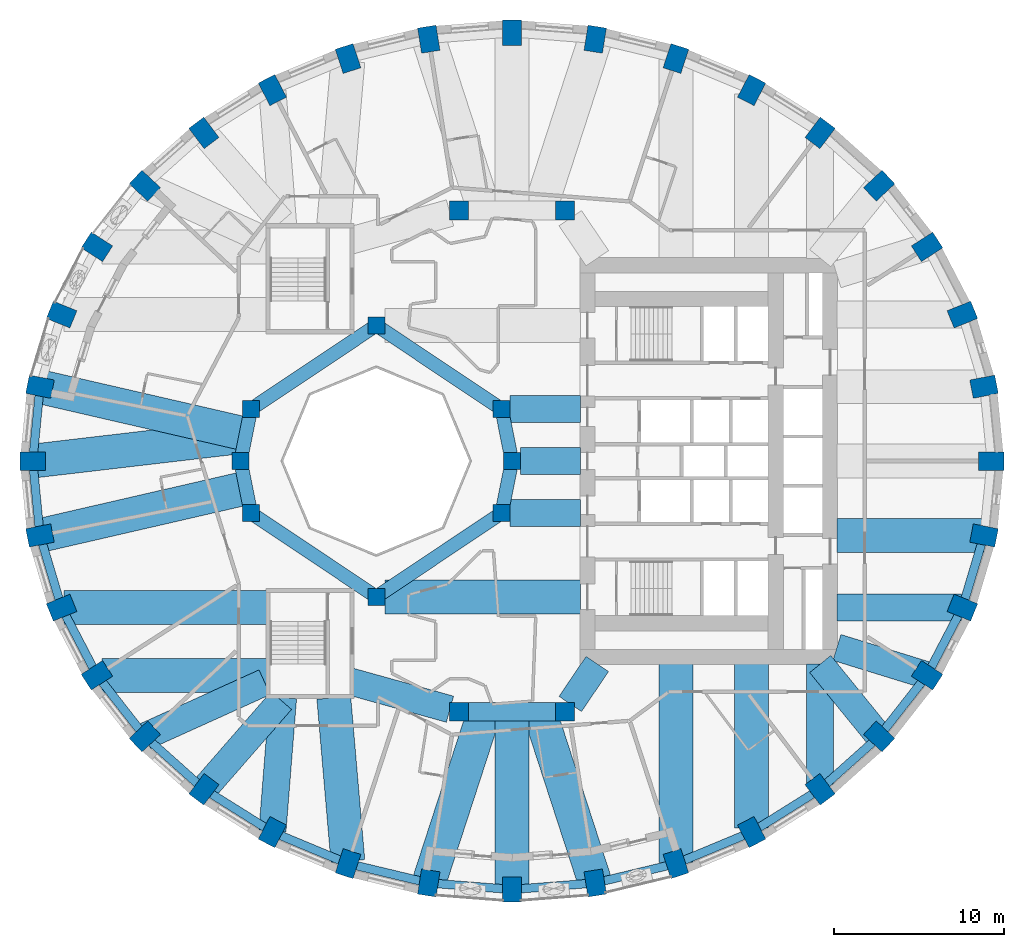
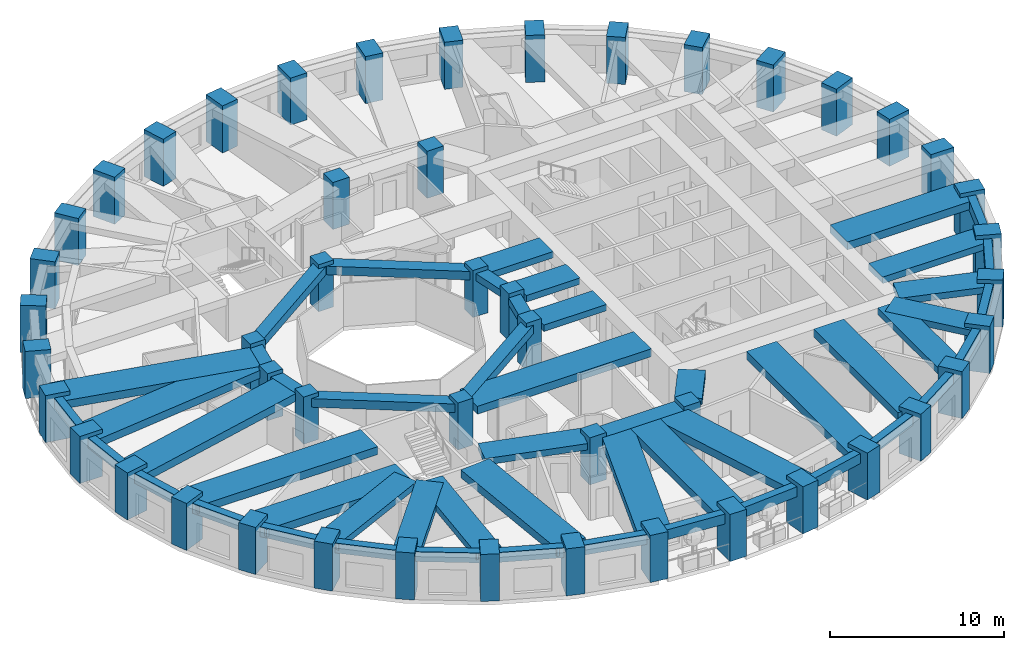
# One storey, part 1 of 13: 52 beams, 48 columns.
"""IFC4 building model written with IfcOpenShell, lengths in metres."""

from ifc_helpers import new_model, si_unit, direction, frame, origin, origin_2d, place, context, subcontext, project, spatial, rectangle, extrude, material, material_profile, profile_set, type_object, element, save


model = new_model("IFC4")

# Units and contexts
model_context = context("Model", 3, precision=1e-05, world=origin(), true_north=direction((0.0, 1.0)))
body_context = subcontext(model_context, "Body", "Model", "MODEL_VIEW")
ifc_project = project(units=[si_unit("LENGTHUNIT", "METRE"), si_unit("AREAUNIT", "SQUARE_METRE"), si_unit("VOLUMEUNIT", "CUBIC_METRE"), si_unit("PLANEANGLEUNIT", "RADIAN"), si_unit("MASSUNIT", "GRAM", prefix="KILO")], contexts=[model_context])

# Site, building, storey
site_placement = place(None, origin())
site = spatial("IfcSite", under=ifc_project, at=site_placement, CompositionType="ELEMENT")
building_placement = place(site_placement, origin())
building = spatial("IfcBuilding", under=site, at=building_placement, Name="Taillehof Tower", CompositionType="ELEMENT")
storey_placement = place(building_placement, frame((0.0, 0.0, 31.60009765625)))
storey = spatial("IfcBuildingStorey", under=building, at=storey_placement, Name="L07", CompositionType="ELEMENT", Elevation=31.60009765625)

# Columns
ifc_material_1 = material(Name="Concrete C50/60", Category="concrete")
ifc_material_profile_1 = material_profile(ifc_material_1, rectangle(XDim=1.0, YDim=1.0, at=origin_2d()), Name="RC 1000x1000")
ifc_profile_set_1 = profile_set([ifc_material_profile_1], Name="Concrete C50/60")
column_type_1 = type_object("IfcColumnType", Name="Atrium ring column C50/60 1000x1000", PredefinedType="COLUMN", material=ifc_profile_set_1)
for number, where, z_axis, x_axis, name in (
    (1, (0.0, 0.0, 0.0), (0.0, 0.0, 1.0), (1.0, 0.0, 0.0), "Column AC01"),
    (2, (-8.0, 8.0, 0.0), (0.0, 0.0, 1.0), (1.0, 0.0, 0.0), "Column AC05"),
    (3, (-15.39111328125, 3.0615234375, 0.0), (0.0, 0.0, 1.0), (1.0, 0.0, 0.0), "Column AC08"),
    (4, (-16.0, 0.0, 0.0), (0.0, 0.0, 1.0), (1.0, 0.0, 0.0), "Column AC09"),
    (5, (-15.39111328125, -3.0615234375, 0.0), (0.0, 0.0, 1.0), (1.0, 0.0, 0.0), "Column AC10"),
    (6, (-8.0, -8.0, 0.0), (0.0, 0.0, 1.0), (1.0, 0.0, 0.0), "Column AC13"),
):
    element("IfcColumn", number, at=place(storey_placement, frame(where, z_axis=z_axis, x_axis=x_axis)), inside=storey, type_object=column_type_1, Name=name, PredefinedType="COLUMN", context=body_context, shape_type="SweptSolid", body=[
        extrude(rectangle(XDim=1.0, YDim=1.0, at=origin_2d()), origin(), (0.0, 0.0, 1.0), 3.2998046875),
    ])
ifc_material_2 = material(Name="Concrete C60/75", Category="concrete")
ifc_material_profile_2 = material_profile(ifc_material_2, rectangle(XDim=1.0, YDim=1.0, at=origin_2d()), Name="RC 1000x1000")
ifc_profile_set_2 = profile_set([ifc_material_profile_2], Name="Concrete C60/75")
column_type_2 = type_object("IfcColumnType", Name="Atrium ring column C60/75 1000x1000", PredefinedType="COLUMN", material=ifc_profile_set_2)
for number, where, z_axis, x_axis, name in (
    (7, (-0.60888671875, 3.0615234375, 0.0), (0.0, 0.0, 1.0), (1.0, 0.0, 0.0), "Column AC02"),
    (8, (-0.60888671875, -3.0615234375, 0.0), (0.0, 0.0, 1.0), (1.0, 0.0, 0.0), "Column AC16"),
):
    element("IfcColumn", number, at=place(storey_placement, frame(where, z_axis=z_axis, x_axis=x_axis)), inside=storey, type_object=column_type_2, Name=name, PredefinedType="COLUMN", context=body_context, shape_type="SweptSolid", body=[
        extrude(rectangle(XDim=1.0, YDim=1.0, at=origin_2d()), origin(), (0.0, 0.0, 1.0), 3.2998046875),
    ])
ifc_material_3 = material(Name="Concrete C60/75", Category="concrete")
ifc_material_profile_3 = material_profile(ifc_material_3, rectangle(XDim=1.10009765625, YDim=1.10009765625, at=origin_2d()), Name="RC 1100x1100")
ifc_profile_set_3 = profile_set([ifc_material_profile_3], Name="Concrete C60/75")
column_type_3 = type_object("IfcColumnType", Name="Mid-ring column C60/75 1100x1100", PredefinedType="COLUMN", material=ifc_profile_set_3)
for number, where, z_axis, x_axis, name in (
    (9, (3.125732421875, 14.772216796875, 0.0), (0.0, 0.0, 1.0), (1.0, 0.0, 0.0), "Column MC05"),
    (10, (3.125732421875, -14.772216796875, 0.0), (0.0, 0.0, 1.0), (1.0, 0.0, 0.0), "Column MC15"),
):
    element("IfcColumn", number, at=place(storey_placement, frame(where, z_axis=z_axis, x_axis=x_axis)), inside=storey, type_object=column_type_3, Name=name, PredefinedType="COLUMN", context=body_context, shape_type="SweptSolid", body=[
        extrude(rectangle(XDim=1.10009765625, YDim=1.10009765625, at=origin_2d()), origin(), (0.0, 0.0, 1.0), 3.2998046875),
    ])
ifc_material_4 = material(Name="Concrete C80/95", Category="concrete")
ifc_material_profile_4 = material_profile(ifc_material_4, rectangle(XDim=1.10009765625, YDim=1.10009765625, at=origin_2d()), Name="RC 1100x1100")
ifc_profile_set_4 = profile_set([ifc_material_profile_4], Name="Concrete C80/95")
column_type_4 = type_object("IfcColumnType", Name="Mid-ring column C80/95 1100x1100", PredefinedType="COLUMN", material=ifc_profile_set_4)
for number, where, z_axis, x_axis, name in (
    (11, (-3.125732421875, 14.772216796875, 0.0), (0.0, 0.0, 1.0), (1.0, 0.0, 0.0), "Column MC06"),
    (12, (-3.125732421875, -14.772216796875, 0.0), (0.0, 0.0, 1.0), (1.0, 0.0, 0.0), "Column MC14"),
):
    element("IfcColumn", number, at=place(storey_placement, frame(where, z_axis=z_axis, x_axis=x_axis)), inside=storey, type_object=column_type_4, Name=name, PredefinedType="COLUMN", context=body_context, shape_type="SweptSolid", body=[
        extrude(rectangle(XDim=1.10009765625, YDim=1.10009765625, at=origin_2d()), origin(), (0.0, 0.0, 1.0), 3.2998046875),
    ])
ifc_material_5 = material(Name="Concrete C70/85", Category="concrete")
ifc_material_profile_5 = material_profile(ifc_material_5, rectangle(XDim=1.5, YDim=1.10009765625, at=origin_2d()), Name="RC 1500x1100")
ifc_profile_set_5 = profile_set([ifc_material_profile_5], Name="Concrete C70/85")
column_type_5 = type_object("IfcColumnType", Name="Ring column C70/85 1500x1100", PredefinedType="COLUMN", material=ifc_profile_set_5)
for number, where, z_axis, x_axis, name in (
    (13, (28.25, 0.0, 0.0), (0.0, 0.0, 1.0), (1.0, 0.0, 0.0), "Ring column RC01"),
    (14, (27.82080078125, 4.384521484375, 0.0), (0.0, 0.0, 1.0), (0.98120354895, 0.192975634545, 0.0), "Ring column RC02"),
    (15, (26.54638671875, 8.635986328125, 0.0), (0.0, 0.0, 1.0), (0.926558045297, 0.37615181602, 0.0), "Ring column RC03"),
    (16, (24.46533203125, 12.625, 0.0), (0.0, 0.0, 1.0), (0.840753565229, 0.541417992456, 0.0), "Ring column RC04"),
    (17, (21.640869140625, 16.23046875, 0.0), (0.0, 0.0, 1.0), (0.730113022917, 0.683326403535, 0.0), "Ring column RC05"),
    (18, (18.15869140625, 19.342529296875, 0.0), (0.0, 0.0, 1.0), (0.601173783055, 0.79911831575, 0.0), "Ring column RC06"),
    (19, (14.125, 21.8671875, 0.0), (0.0, 0.0, 1.0), (0.459691308511, 0.888078769524, 0.0), "Ring column RC07"),
    (20, (9.662109375, 23.727294921875, 0.0), (0.0, 0.0, 1.0), (0.310219183529, 0.950665060981, 0.0), "Ring column RC08"),
    (21, (4.905517578125, 24.866455078125, 0.0), (0.0, 0.0, 1.0), (0.15614709407, 0.987733812833, 0.0), "Ring column RC09"),
    (22, (0.0, 25.25, 0.0), (0.0, 0.0, 1.0), (0.0, 1.0, 0.0), "Ring column RC10"),
    (23, (-4.905517578125, 24.866455078125, 0.0), (0.0, 0.0, 1.0), (-0.15614709407, 0.987733812833, 0.0), "Ring column RC11"),
    (24, (-9.662109375, 23.727294921875, 0.0), (0.0, 0.0, 1.0), (-0.310219183529, 0.950665060981, 0.0), "Ring column RC12"),
    (25, (-14.125, 21.8671875, 0.0), (0.0, 0.0, 1.0), (-0.459691308511, 0.888078769524, 0.0), "Ring column RC13"),
    (26, (-18.15869140625, 19.342529296875, 0.0), (0.0, 0.0, 1.0), (-0.601173783055, 0.79911831575, 0.0), "Ring column RC14"),
    (27, (-21.640869140625, 16.23046875, 0.0), (0.0, 0.0, 1.0), (-0.730113022917, 0.683326403535, 0.0), "Ring column RC15"),
    (28, (-24.46533203125, 12.625, 0.0), (0.0, 0.0, 1.0), (-0.840753565229, 0.541417992456, 0.0), "Ring column RC16"),
    (29, (-26.54638671875, 8.635986328125, 0.0), (0.0, 0.0, 1.0), (-0.926558045297, 0.37615181602, 0.0), "Ring column RC17"),
    (30, (-27.82080078125, 4.384521484375, 0.0), (0.0, 0.0, 1.0), (-0.98120354895, 0.192975634545, 0.0), "Ring column RC18"),
    (31, (-28.25, 0.0, 0.0), (0.0, 0.0, 1.0), (-1.0, 0.0, 0.0), "Ring column RC19"),
    (32, (-27.82080078125, -4.384521484375, 0.0), (0.0, 0.0, 1.0), (-0.98120354895, -0.192975634545, 0.0), "Ring column RC20"),
    (33, (-26.54638671875, -8.635986328125, 0.0), (0.0, 0.0, 1.0), (-0.926558045297, -0.37615181602, 0.0), "Ring column RC21"),
    (34, (-24.46533203125, -12.625, 0.0), (0.0, 0.0, 1.0), (-0.840753565229, -0.541417992456, 0.0), "Ring column RC22"),
    (35, (-21.640869140625, -16.23046875, 0.0), (0.0, 0.0, 1.0), (-0.730113022917, -0.683326403535, 0.0), "Ring column RC23"),
    (36, (-18.15869140625, -19.342529296875, 0.0), (0.0, 0.0, 1.0), (-0.601173783055, -0.79911831575, 0.0), "Ring column RC24"),
    (37, (-14.125, -21.8671875, 0.0), (0.0, 0.0, 1.0), (-0.459691308511, -0.888078769524, 0.0), "Ring column RC25"),
    (38, (-9.662109375, -23.727294921875, 0.0), (0.0, 0.0, 1.0), (-0.310219183529, -0.950665060981, 0.0), "Ring column RC26"),
    (39, (-4.905517578125, -24.866455078125, 0.0), (0.0, 0.0, 1.0), (-0.15614709407, -0.987733812833, 0.0), "Ring column RC27"),
    (40, (0.0, -25.25, 0.0), (0.0, 0.0, 1.0), (0.0, -1.0, 0.0), "Ring column RC28"),
    (41, (4.905517578125, -24.866455078125, 0.0), (0.0, 0.0, 1.0), (0.15614709407, -0.987733812833, 0.0), "Ring column RC29"),
    (42, (9.662109375, -23.727294921875, 0.0), (0.0, 0.0, 1.0), (0.310219183529, -0.950665060981, 0.0), "Ring column RC30"),
    (43, (14.125, -21.8671875, 0.0), (0.0, 0.0, 1.0), (0.459691308511, -0.888078769524, 0.0), "Ring column RC31"),
    (44, (18.15869140625, -19.342529296875, 0.0), (0.0, 0.0, 1.0), (0.601173783055, -0.79911831575, 0.0), "Ring column RC32"),
    (45, (21.640869140625, -16.23046875, 0.0), (0.0, 0.0, 1.0), (0.730113022917, -0.683326403535, 0.0), "Ring column RC33"),
    (46, (24.46533203125, -12.625, 0.0), (0.0, 0.0, 1.0), (0.840753565229, -0.541417992456, 0.0), "Ring column RC34"),
    (47, (26.54638671875, -8.635986328125, 0.0), (0.0, 0.0, 1.0), (0.926558045297, -0.37615181602, 0.0), "Ring column RC35"),
    (48, (27.82080078125, -4.384521484375, 0.0), (0.0, 0.0, 1.0), (0.98120354895, -0.192975634545, 0.0), "Ring column RC36"),
):
    element("IfcColumn", number, at=place(storey_placement, frame(where, z_axis=z_axis, x_axis=x_axis)), inside=storey, type_object=column_type_5, Name=name, PredefinedType="COLUMN", context=body_context, shape_type="SweptSolid", body=[
        extrude(rectangle(XDim=1.5, YDim=1.10009765625, at=origin_2d()), origin(), (0.0, 0.0, 1.0), 3.2998046875),
    ])

# Beams
ifc_material_6 = material(Name="Concrete C50/60", Category="concrete")
ifc_material_profile_6 = material_profile(ifc_material_6, rectangle(XDim=0.800048828125, YDim=0.5, at=origin_2d()), Name="RC 800x500")
ifc_profile_set_6 = profile_set([ifc_material_profile_6], Name="Concrete C50/60")
beam_type_1 = type_object("IfcBeamType", Name="Atrium ring beam C50/60 800x500", PredefinedType="BEAM", material=ifc_profile_set_6)
for number, where, z_axis, x_axis, name in (
    (49, (0.0, 0.0, 2.77001953125), (-0.195063155143, 0.980790683839, 0.0), (-0.980790683839, -0.195063155143, 0.0), "Atrium ring beam AB01"),
    (50, (-15.39111328125, 3.0615234375, 2.77001953125), (-0.195063155143, -0.980790683839, 0.0), (0.980790683839, -0.195063155143, 0.0), "Atrium ring beam AB04"),
    (51, (-16.0, 0.0, 2.77001953125), (0.195063155143, -0.980790683839, 0.0), (0.980790683839, 0.195063155143, 0.0), "Atrium ring beam AB05"),
    (52, (-0.60888671875, -3.0615234375, 2.77001953125), (0.195063155143, 0.980790683839, 0.0), (-0.980790683839, 0.195063155143, 0.0), "Atrium ring beam AB08"),
):
    element("IfcBeam", number, at=place(storey_placement, frame(where, z_axis=z_axis, x_axis=x_axis)), inside=storey, type_object=beam_type_1, Name=name, PredefinedType="BEAM", context=body_context, shape_type="SweptSolid", body=[
        extrude(rectangle(XDim=0.800048828125, YDim=0.5, at=origin_2d()), origin(), (0.0, 0.0, 1.0), 3.12158203125),
    ])
ifc_material_7 = material(Name="Concrete C50/60", Category="concrete")
ifc_material_profile_7 = material_profile(ifc_material_7, rectangle(XDim=0.800048828125, YDim=0.60009765625, at=origin_2d()), Name="RC 800x600")
ifc_profile_set_7 = profile_set([ifc_material_profile_7], Name="Concrete C50/60")
beam_type_2 = type_object("IfcBeamType", Name="Atrium ring beam C50/60 800x600", PredefinedType="BEAM", material=ifc_profile_set_7)
for number, where, z_axis, x_axis, name in (
    (53, (-0.60888671875, 3.0615234375, 2.719970703125), (-0.831475195687, 0.555561876804, 0.0), (-0.555561876804, -0.831475195687, 0.0), "Atrium ring beam AB02"),
    (54, (-8.0, 8.0, 2.719970703125), (-0.831475195687, -0.555561876804, 0.0), (0.555561876804, -0.831475195687, 0.0), "Atrium ring beam AB03"),
    (55, (-15.39111328125, -3.0615234375, 2.719970703125), (0.831475195687, -0.555561876804, 0.0), (0.555561876804, 0.831475195687, 0.0), "Atrium ring beam AB06"),
    (56, (-8.0, -8.0, 2.719970703125), (0.831475195687, 0.555561876804, 0.0), (-0.555561876804, 0.831475195687, 0.0), "Atrium ring beam AB07"),
):
    element("IfcBeam", number, at=place(storey_placement, frame(where, z_axis=z_axis, x_axis=x_axis)), inside=storey, type_object=beam_type_2, Name=name, PredefinedType="BEAM", context=body_context, shape_type="SweptSolid", body=[
        extrude(rectangle(XDim=0.800048828125, YDim=0.60009765625, at=origin_2d()), origin(), (0.0, 0.0, 1.0), 8.88916015625),
    ])
ifc_material_8 = material(Name="Concrete C50/60", Category="concrete")
ifc_material_profile_8 = material_profile(ifc_material_8, rectangle(XDim=1.10009765625, YDim=0.60009765625, at=origin_2d()), Name="RC 1100x600")
ifc_profile_set_8 = profile_set([ifc_material_profile_8], Name="Concrete C50/60")
beam_type_3 = type_object("IfcBeamType", Name="Mid-ring beam C50/60 1100x600", PredefinedType="BEAM", material=ifc_profile_set_8)
beam_1_placement = place(storey_placement, frame((-3.125732421875, -14.772216796875, 2.719970703125), z_axis=(1.0, 0.0, 0.0), x_axis=(0.0, 1.0, 0.0)))
element("IfcBeam", 57, at=beam_1_placement, inside=storey, type_object=beam_type_3, Name="Mid-ring beam MB02", PredefinedType="BEAM", context=body_context, shape_type="SweptSolid", body=[
    extrude(rectangle(XDim=1.10009765625, YDim=0.60009765625, at=origin_2d()), origin(), (0.0, 0.0, 1.0), 6.25146484375),
])
ifc_material_9 = material(Name="Concrete C50/60", Category="concrete")
ifc_material_profile_9 = material_profile(ifc_material_9, rectangle(XDim=1.60009765625, YDim=0.449951171875, at=origin_2d()), Name="RC 1600x450")
ifc_profile_set_9 = profile_set([ifc_material_profile_9], Name="Concrete C50/60")
beam_type_4 = type_object("IfcBeamType", Name="Radial band beam C50/60 1600x450", PredefinedType="BEAM", material=ifc_profile_set_9)
beam_2_placement = place(storey_placement, frame((-21.632568359375, -16.226806640625, 2.794921875), z_axis=(0.911100590789, 0.412184077161, 0.0), x_axis=(-0.412184077161, 0.911100590789, 0.0)))
element("IfcBeam", 58, at=beam_2_placement, inside=storey, type_object=beam_type_4, Name="Radial band beam RB23", PredefinedType="BEAM", context=body_context, shape_type="SweptSolid", body=[
    extrude(rectangle(XDim=1.60009765625, YDim=0.449951171875, at=origin_2d()), origin(), (0.0, 0.0, 1.0), 7.740966796875),
])
beam_3_placement = place(storey_placement, frame((-18.15869140625, -19.342529296875, 2.794921875), z_axis=(0.65721824087, 0.753700327628, 0.0), x_axis=(-0.753700327628, 0.65721824087, 0.0)))
element("IfcBeam", 59, at=beam_3_placement, inside=storey, type_object=beam_type_4, Name="Radial band beam RB24", PredefinedType="BEAM", context=body_context, shape_type="SweptSolid", body=[
    extrude(rectangle(XDim=1.60009765625, YDim=0.449951171875, at=origin_2d()), origin(), (0.0, 0.0, 1.0), 6.9384765625),
])
beam_4_placement = place(storey_placement, frame((-14.119873046875, -21.802978515625, 2.794921875), z_axis=(0.079184740988, 0.996859958467, 0.0), x_axis=(-0.996859958467, 0.079184740988, 0.0)))
element("IfcBeam", 60, at=beam_4_placement, inside=storey, type_object=beam_type_4, Name="Radial band beam RB25", PredefinedType="BEAM", context=body_context, shape_type="SweptSolid", body=[
    extrude(rectangle(XDim=1.60009765625, YDim=0.449951171875, at=origin_2d()), origin(), (0.0, 0.0, 1.0), 7.87744140625),
])
beam_5_placement = place(storey_placement, frame((18.15869140625, -19.05517578125, 2.794921875), z_axis=(0.0, 1.0, 0.0), x_axis=(-1.0, 0.0, 0.0)))
element("IfcBeam", 61, at=beam_5_placement, inside=storey, type_object=beam_type_4, Name="Radial band beam RB32", PredefinedType="BEAM", context=body_context, shape_type="SweptSolid", body=[
    extrude(rectangle(XDim=1.60009765625, YDim=0.449951171875, at=origin_2d()), origin(), (0.0, 0.0, 1.0), 7.105224609375),
])
beam_6_placement = place(storey_placement, frame((21.640869140625, -16.23046875, 2.794921875), z_axis=(-0.630988373846, 0.775792286679, 0.0), x_axis=(-0.775792286679, -0.630988373846, 0.0)))
element("IfcBeam", 62, at=beam_6_placement, inside=storey, type_object=beam_type_4, Name="Radial band beam RB33", PredefinedType="BEAM", context=body_context, shape_type="SweptSolid", body=[
    extrude(rectangle(XDim=1.60009765625, YDim=0.449951171875, at=origin_2d()), origin(), (0.0, 0.0, 1.0), 5.503173828125),
])
beam_7_placement = place(storey_placement, frame((24.46533203125, -12.625, 2.794921875), z_axis=(-0.955535654338, 0.294875589511, 0.0), x_axis=(-0.294875589511, -0.955535654338, 0.0)))
element("IfcBeam", 63, at=beam_7_placement, inside=storey, type_object=beam_type_4, Name="Radial band beam RB34", PredefinedType="BEAM", context=body_context, shape_type="SweptSolid", body=[
    extrude(rectangle(XDim=1.60009765625, YDim=0.449951171875, at=origin_2d()), origin(), (0.0, 0.0, 1.0), 5.560546875),
])
beam_8_placement = place(storey_placement, frame((26.490478515625, -8.635986328125, 2.794921875), z_axis=(-1.0, 0.0, 0.0), x_axis=(0.0, -1.0, 0.0)))
element("IfcBeam", 64, at=beam_8_placement, inside=storey, type_object=beam_type_4, Name="Radial band beam RB35", PredefinedType="BEAM", context=body_context, shape_type="SweptSolid", body=[
    extrude(rectangle(XDim=1.60009765625, YDim=0.449951171875, at=origin_2d()), origin(), (0.0, 0.0, 1.0), 7.340576171875),
])
beam_9_placement = place(storey_placement, frame((0.5, 0.0, 2.794921875), z_axis=(1.0, 0.0, 0.0), x_axis=(0.0, 1.0, 0.0)))
element("IfcBeam", 65, at=beam_9_placement, inside=storey, type_object=beam_type_4, Name="Inner band beam IB101", PredefinedType="BEAM", context=body_context, shape_type="SweptSolid", body=[
    extrude(rectangle(XDim=1.60009765625, YDim=0.449951171875, at=origin_2d()), origin(), (0.0, 0.0, 1.0), 3.550048828125),
])
for number, where, z_axis, x_axis, name in (
    (66, (-0.10888671875, 3.0615234375, 2.794921875), (1.0, 0.0, 0.0), (0.0, 1.0, 0.0), "Inner band beam IB102"),
    (67, (-0.10888671875, -3.0615234375, 2.794921875), (1.0, 0.0, 0.0), (0.0, 1.0, 0.0), "Inner band beam IB116"),
):
    element("IfcBeam", number, at=place(storey_placement, frame(where, z_axis=z_axis, x_axis=x_axis)), inside=storey, type_object=beam_type_4, Name=name, PredefinedType="BEAM", context=body_context, shape_type="SweptSolid", body=[
        extrude(rectangle(XDim=1.60009765625, YDim=0.449951171875, at=origin_2d()), origin(), (0.0, 0.0, 1.0), 4.158935546875),
    ])
beam_10_placement = place(storey_placement, frame((-3.655517578125, -14.624755859375, 2.794921875), z_axis=(-0.963459369536, 0.267854518821, 0.0), x_axis=(-0.267854518821, -0.963459369536, 0.0)))
element("IfcBeam", 68, at=beam_10_placement, inside=storey, type_object=beam_type_4, Name="Inner band beam IB214", PredefinedType="BEAM", context=body_context, shape_type="SweptSolid", body=[
    extrude(rectangle(XDim=1.60009765625, YDim=0.449951171875, at=origin_2d()), origin(), (0.0, 0.0, 1.0), 6.096923828125),
])
beam_11_placement = place(storey_placement, frame((3.433837890625, -14.31640625, 2.794921875), z_axis=(0.560112043398, 0.828416862962, 0.0), x_axis=(-0.828416862962, 0.560112043398, 0.0)))
element("IfcBeam", 69, at=beam_11_placement, inside=storey, type_object=beam_type_4, Name="Inner band beam IB215", PredefinedType="BEAM", context=body_context, shape_type="SweptSolid", body=[
    extrude(rectangle(XDim=1.60009765625, YDim=0.449951171875, at=origin_2d()), origin(), (0.0, 0.0, 1.0), 2.84619140625),
])
ifc_material_10 = material(Name="Concrete C50/60", Category="concrete")
ifc_material_profile_10 = material_profile(ifc_material_10, rectangle(XDim=2.0, YDim=0.550048828125, at=origin_2d()), Name="RC 2000x550")
ifc_profile_set_10 = profile_set([ifc_material_profile_10], Name="Concrete C50/60")
beam_type_5 = type_object("IfcBeamType", Name="Radial band beam C50/60 2000x550", PredefinedType="BEAM", material=ifc_profile_set_10)
beam_12_placement = place(storey_placement, frame((-27.82080078125, 4.384521484375, 2.744873046875), z_axis=(0.974509005862, -0.2243483842, 0.0), x_axis=(0.2243483842, 0.974509005862, 0.0)))
element("IfcBeam", 70, at=beam_12_placement, inside=storey, type_object=beam_type_5, Name="Radial band beam RB18", PredefinedType="BEAM", context=body_context, shape_type="SweptSolid", body=[
    extrude(rectangle(XDim=2.0, YDim=0.550048828125, at=origin_2d()), origin(), (0.0, 0.0, 1.0), 12.45458984375),
])
beam_13_placement = place(storey_placement, frame((-28.25, 0.0, 2.744873046875), z_axis=(0.993191188018, 0.11649576835, 0.0), x_axis=(-0.11649576835, 0.993191188018, 0.0)))
element("IfcBeam", 71, at=beam_13_placement, inside=storey, type_object=beam_type_5, Name="Radial band beam RB19", PredefinedType="BEAM", context=body_context, shape_type="SweptSolid", body=[
    extrude(rectangle(XDim=2.0, YDim=0.550048828125, at=origin_2d()), origin(), (0.0, 0.0, 1.0), 12.628662109375),
])
beam_14_placement = place(storey_placement, frame((-27.82080078125, -4.384521484375, 2.744873046875), z_axis=(0.974509005862, 0.2243483842, 0.0), x_axis=(-0.2243483842, 0.974509005862, 0.0)))
element("IfcBeam", 72, at=beam_14_placement, inside=storey, type_object=beam_type_5, Name="Radial band beam RB20", PredefinedType="BEAM", context=body_context, shape_type="SweptSolid", body=[
    extrude(rectangle(XDim=2.0, YDim=0.550048828125, at=origin_2d()), origin(), (0.0, 0.0, 1.0), 12.45458984375),
])
beam_15_placement = place(storey_placement, frame((-26.408935546875, -8.635986328125, 2.744873046875), z_axis=(1.0, 0.0, 0.0), x_axis=(0.0, 1.0, 0.0)))
element("IfcBeam", 73, at=beam_15_placement, inside=storey, type_object=beam_type_5, Name="Radial band beam RB21", PredefinedType="BEAM", context=body_context, shape_type="SweptSolid", body=[
    extrude(rectangle(XDim=2.0, YDim=0.550048828125, at=origin_2d()), origin(), (0.0, 0.0, 1.0), 11.958984375),
])
beam_16_placement = place(storey_placement, frame((-24.172607421875, -12.625, 2.744873046875), z_axis=(1.0, 0.0, 0.0), x_axis=(0.0, 1.0, 0.0)))
element("IfcBeam", 74, at=beam_16_placement, inside=storey, type_object=beam_type_5, Name="Radial band beam RB22", PredefinedType="BEAM", context=body_context, shape_type="SweptSolid", body=[
    extrude(rectangle(XDim=2.0, YDim=0.550048828125, at=origin_2d()), origin(), (0.0, 0.0, 1.0), 9.72265625),
])
beam_17_placement = place(storey_placement, frame((-9.675048828125, -23.575927734375, 2.744873046875), z_axis=(-0.085841202752, 0.996308831593, 0.0), x_axis=(-0.996308831593, -0.085841202752, 0.0)))
element("IfcBeam", 75, at=beam_17_placement, inside=storey, type_object=beam_type_5, Name="Radial band beam RB26", PredefinedType="BEAM", context=body_context, shape_type="SweptSolid", body=[
    extrude(rectangle(XDim=2.0, YDim=0.550048828125, at=origin_2d()), origin(), (0.0, 0.0, 1.0), 9.661376953125),
])
beam_18_placement = place(storey_placement, frame((-4.905517578125, -24.866455078125, 2.744873046875), z_axis=(0.309014294595, 0.951057393503, 0.0), x_axis=(-0.951057393503, 0.309014294595, 0.0)))
element("IfcBeam", 76, at=beam_18_placement, inside=storey, type_object=beam_type_5, Name="Radial band beam RB27", PredefinedType="BEAM", context=body_context, shape_type="SweptSolid", body=[
    extrude(rectangle(XDim=2.0, YDim=0.550048828125, at=origin_2d()), origin(), (0.0, 0.0, 1.0), 10.61376953125),
])
beam_19_placement = place(storey_placement, frame((0.0, -25.25, 2.744873046875), z_axis=(0.0, 1.0, 0.0), x_axis=(-1.0, 0.0, 0.0)))
element("IfcBeam", 77, at=beam_19_placement, inside=storey, type_object=beam_type_5, Name="Radial band beam RB28", PredefinedType="BEAM", context=body_context, shape_type="SweptSolid", body=[
    extrude(rectangle(XDim=2.0, YDim=0.550048828125, at=origin_2d()), origin(), (0.0, 0.0, 1.0), 10.477783203125),
])
beam_20_placement = place(storey_placement, frame((4.905517578125, -24.866455078125, 2.744873046875), z_axis=(-0.309014294595, 0.951057393503, 0.0), x_axis=(-0.951057393503, -0.309014294595, 0.0)))
element("IfcBeam", 78, at=beam_20_placement, inside=storey, type_object=beam_type_5, Name="Radial band beam RB29", PredefinedType="BEAM", context=body_context, shape_type="SweptSolid", body=[
    extrude(rectangle(XDim=2.0, YDim=0.550048828125, at=origin_2d()), origin(), (0.0, 0.0, 1.0), 10.61376953125),
])
beam_21_placement = place(storey_placement, frame((9.662109375, -23.664794921875, 2.744873046875), z_axis=(0.0, 1.0, 0.0), x_axis=(-1.0, 0.0, 0.0)))
element("IfcBeam", 79, at=beam_21_placement, inside=storey, type_object=beam_type_5, Name="Radial band beam RB30", PredefinedType="BEAM", context=body_context, shape_type="SweptSolid", body=[
    extrude(rectangle(XDim=2.0, YDim=0.550048828125, at=origin_2d()), origin(), (0.0, 0.0, 1.0), 11.71484375),
])
beam_22_placement = place(storey_placement, frame((14.125, -21.63232421875, 2.744873046875), z_axis=(0.0, 1.0, 0.0), x_axis=(-1.0, 0.0, 0.0)))
element("IfcBeam", 80, at=beam_22_placement, inside=storey, type_object=beam_type_5, Name="Radial band beam RB31", PredefinedType="BEAM", context=body_context, shape_type="SweptSolid", body=[
    extrude(rectangle(XDim=2.0, YDim=0.550048828125, at=origin_2d()), origin(), (0.0, 0.0, 1.0), 9.682373046875),
])
beam_23_placement = place(storey_placement, frame((27.82080078125, -4.384521484375, 2.744873046875), z_axis=(-1.0, 0.0, 0.0), x_axis=(0.0, -1.0, 0.0)))
element("IfcBeam", 81, at=beam_23_placement, inside=storey, type_object=beam_type_5, Name="Radial band beam RB36", PredefinedType="BEAM", context=body_context, shape_type="SweptSolid", body=[
    extrude(rectangle(XDim=2.0, YDim=0.550048828125, at=origin_2d()), origin(), (0.0, 0.0, 1.0), 8.6708984375),
])
beam_24_placement = place(storey_placement, frame((-7.5, -8.0, 2.744873046875), z_axis=(1.0, 0.0, 0.0), x_axis=(0.0, 1.0, 0.0)))
element("IfcBeam", 82, at=beam_24_placement, inside=storey, type_object=beam_type_5, Name="Inner band beam IB113", PredefinedType="BEAM", context=body_context, shape_type="SweptSolid", body=[
    extrude(rectangle(XDim=2.0, YDim=0.550048828125, at=origin_2d()), origin(), (0.0, 0.0, 1.0), 11.550048828125),
])
ifc_material_11 = material(Name="Concrete C50/60", Category="concrete")
ifc_material_profile_11 = material_profile(ifc_material_11, rectangle(XDim=0.5, YDim=0.699951171875, at=origin_2d()), Name="RC 500x700")
ifc_profile_set_11 = profile_set([ifc_material_profile_11], Name="Concrete C50/60")
beam_type_6 = type_object("IfcBeamType", Name="Spandrel beam C50/60 500x700", PredefinedType="SPANDREL", material=ifc_profile_set_11)
for number, where, z_axis, x_axis, name in (
    (83, (-27.82080078125, 4.384521484375, 2.669921875), (-0.097423973567, -0.99524297002, 0.0), (0.99524297002, -0.097423973567, 0.0), "Spandrel beam SB18"),
    (84, (-28.25, 0.0, 2.669921875), (0.097423973567, -0.99524297002, 0.0), (0.99524297002, 0.097423973567, 0.0), "Spandrel beam SB19"),
):
    element("IfcBeam", number, at=place(storey_placement, frame(where, z_axis=z_axis, x_axis=x_axis)), inside=storey, type_object=beam_type_6, Name=name, PredefinedType="SPANDREL", context=body_context, shape_type="SweptSolid", body=[
        extrude(rectangle(XDim=0.5, YDim=0.699951171875, at=origin_2d()), origin(), (0.0, 0.0, 1.0), 4.405517578125),
    ])
beam_25_placement = place(storey_placement, frame((-27.82080078125, -4.384521484375, 2.669921875), z_axis=(0.287135925407, -0.957889847707, 0.0), x_axis=(0.957889847707, 0.287135925407, 0.0)))
element("IfcBeam", 85, at=beam_25_placement, inside=storey, type_object=beam_type_6, Name="Spandrel beam SB20", PredefinedType="SPANDREL", context=body_context, shape_type="SweptSolid", body=[
    extrude(rectangle(XDim=0.5, YDim=0.699951171875, at=origin_2d()), origin(), (0.0, 0.0, 1.0), 4.4384765625),
])
beam_26_placement = place(storey_placement, frame((-26.54638671875, -8.635986328125, 2.669921875), z_axis=(0.462536335232, -0.886600326297, 0.0), x_axis=(0.886600326297, 0.462536335232, 0.0)))
element("IfcBeam", 86, at=beam_26_placement, inside=storey, type_object=beam_type_6, Name="Spandrel beam SB21", PredefinedType="SPANDREL", context=body_context, shape_type="SweptSolid", body=[
    extrude(rectangle(XDim=0.5, YDim=0.699951171875, at=origin_2d()), origin(), (0.0, 0.0, 1.0), 4.499267578125),
])
beam_27_placement = place(storey_placement, frame((-24.46533203125, -12.625, 2.669921875), z_axis=(0.616686200373, -0.787209076593, 0.0), x_axis=(0.787209076593, 0.616686200373, 0.0)))
element("IfcBeam", 87, at=beam_27_placement, inside=storey, type_object=beam_type_6, Name="Spandrel beam SB22", PredefinedType="SPANDREL", context=body_context, shape_type="SweptSolid", body=[
    extrude(rectangle(XDim=0.5, YDim=0.699951171875, at=origin_2d()), origin(), (0.0, 0.0, 1.0), 4.580078125),
])
beam_28_placement = place(storey_placement, frame((-21.640869140625, -16.23046875, 2.669921875), z_axis=(0.745621283614, -0.666369943366, 0.0), x_axis=(0.666369943366, 0.745621283614, 0.0)))
element("IfcBeam", 88, at=beam_28_placement, inside=storey, type_object=beam_type_6, Name="Spandrel beam SB23", PredefinedType="SPANDREL", context=body_context, shape_type="SweptSolid", body=[
    extrude(rectangle(XDim=0.5, YDim=0.699951171875, at=origin_2d()), origin(), (0.0, 0.0, 1.0), 4.670166015625),
])
beam_29_placement = place(storey_placement, frame((-18.15869140625, -19.342529296875, 2.669921875), z_axis=(0.847658018883, -0.530543007703, 0.0), x_axis=(0.530543007703, 0.847658018883, 0.0)))
element("IfcBeam", 89, at=beam_29_placement, inside=storey, type_object=beam_type_6, Name="Spandrel beam SB24", PredefinedType="SPANDREL", context=body_context, shape_type="SweptSolid", body=[
    extrude(rectangle(XDim=0.5, YDim=0.699951171875, at=origin_2d()), origin(), (0.0, 0.0, 1.0), 4.758544921875),
])
beam_30_placement = place(storey_placement, frame((-14.125, -21.8671875, 2.669921875), z_axis=(0.923035088053, -0.384715773297, 0.0), x_axis=(0.384715773297, 0.923035088053, 0.0)))
element("IfcBeam", 90, at=beam_30_placement, inside=storey, type_object=beam_type_6, Name="Spandrel beam SB25", PredefinedType="SPANDREL", context=body_context, shape_type="SweptSolid", body=[
    extrude(rectangle(XDim=0.5, YDim=0.699951171875, at=origin_2d()), origin(), (0.0, 0.0, 1.0), 4.8349609375),
])
beam_31_placement = place(storey_placement, frame((-9.662109375, -23.727294921875, 2.669921875), z_axis=(0.9724995553, -0.232904733616, 0.0), x_axis=(0.232904733616, 0.9724995553, 0.0)))
element("IfcBeam", 91, at=beam_31_placement, inside=storey, type_object=beam_type_6, Name="Spandrel beam SB26", PredefinedType="SPANDREL", context=body_context, shape_type="SweptSolid", body=[
    extrude(rectangle(XDim=0.5, YDim=0.699951171875, at=origin_2d()), origin(), (0.0, 0.0, 1.0), 4.89111328125),
])
for number, where, z_axis, x_axis, name in (
    (92, (-4.905517578125, -24.866455078125, 2.669921875), (0.996957383661, -0.077948541767, 0.0), (0.077948541767, 0.996957383661, 0.0), "Spandrel beam SB27"),
    (93, (0.0, -25.25, 2.669921875), (0.996957383661, 0.077948541767, 0.0), (-0.077948541767, 0.996957383661, 0.0), "Spandrel beam SB28"),
):
    element("IfcBeam", number, at=place(storey_placement, frame(where, z_axis=z_axis, x_axis=x_axis)), inside=storey, type_object=beam_type_6, Name=name, PredefinedType="SPANDREL", context=body_context, shape_type="SweptSolid", body=[
        extrude(rectangle(XDim=0.5, YDim=0.699951171875, at=origin_2d()), origin(), (0.0, 0.0, 1.0), 4.92041015625),
    ])
beam_32_placement = place(storey_placement, frame((4.905517578125, -24.866455078125, 2.669921875), z_axis=(0.9724995553, 0.232904733616, 0.0), x_axis=(-0.232904733616, 0.9724995553, 0.0)))
element("IfcBeam", 94, at=beam_32_placement, inside=storey, type_object=beam_type_6, Name="Spandrel beam SB29", PredefinedType="SPANDREL", context=body_context, shape_type="SweptSolid", body=[
    extrude(rectangle(XDim=0.5, YDim=0.699951171875, at=origin_2d()), origin(), (0.0, 0.0, 1.0), 4.89111328125),
])
beam_33_placement = place(storey_placement, frame((9.662109375, -23.727294921875, 2.669921875), z_axis=(0.923035088053, 0.384715773297, 0.0), x_axis=(-0.384715773297, 0.923035088053, 0.0)))
element("IfcBeam", 95, at=beam_33_placement, inside=storey, type_object=beam_type_6, Name="Spandrel beam SB30", PredefinedType="SPANDREL", context=body_context, shape_type="SweptSolid", body=[
    extrude(rectangle(XDim=0.5, YDim=0.699951171875, at=origin_2d()), origin(), (0.0, 0.0, 1.0), 4.8349609375),
])
beam_34_placement = place(storey_placement, frame((14.125, -21.8671875, 2.669921875), z_axis=(0.847658018883, 0.530543007703, 0.0), x_axis=(-0.530543007703, 0.847658018883, 0.0)))
element("IfcBeam", 96, at=beam_34_placement, inside=storey, type_object=beam_type_6, Name="Spandrel beam SB31", PredefinedType="SPANDREL", context=body_context, shape_type="SweptSolid", body=[
    extrude(rectangle(XDim=0.5, YDim=0.699951171875, at=origin_2d()), origin(), (0.0, 0.0, 1.0), 4.758544921875),
])
beam_35_placement = place(storey_placement, frame((18.15869140625, -19.342529296875, 2.669921875), z_axis=(0.745621283614, 0.666369943366, 0.0), x_axis=(-0.666369943366, 0.745621283614, 0.0)))
element("IfcBeam", 97, at=beam_35_placement, inside=storey, type_object=beam_type_6, Name="Spandrel beam SB32", PredefinedType="SPANDREL", context=body_context, shape_type="SweptSolid", body=[
    extrude(rectangle(XDim=0.5, YDim=0.699951171875, at=origin_2d()), origin(), (0.0, 0.0, 1.0), 4.670166015625),
])
beam_36_placement = place(storey_placement, frame((21.640869140625, -16.23046875, 2.669921875), z_axis=(0.616686200373, 0.787209076593, 0.0), x_axis=(-0.787209076593, 0.616686200373, 0.0)))
element("IfcBeam", 98, at=beam_36_placement, inside=storey, type_object=beam_type_6, Name="Spandrel beam SB33", PredefinedType="SPANDREL", context=body_context, shape_type="SweptSolid", body=[
    extrude(rectangle(XDim=0.5, YDim=0.699951171875, at=origin_2d()), origin(), (0.0, 0.0, 1.0), 4.580078125),
])
beam_37_placement = place(storey_placement, frame((24.46533203125, -12.625, 2.669921875), z_axis=(0.462536335232, 0.886600326297, 0.0), x_axis=(-0.886600326297, 0.462536335232, 0.0)))
element("IfcBeam", 99, at=beam_37_placement, inside=storey, type_object=beam_type_6, Name="Spandrel beam SB34", PredefinedType="SPANDREL", context=body_context, shape_type="SweptSolid", body=[
    extrude(rectangle(XDim=0.5, YDim=0.699951171875, at=origin_2d()), origin(), (0.0, 0.0, 1.0), 4.499267578125),
])
beam_38_placement = place(storey_placement, frame((26.54638671875, -8.635986328125, 2.669921875), z_axis=(0.287135925407, 0.957889847707, 0.0), x_axis=(-0.957889847707, 0.287135925407, 0.0)))
element("IfcBeam", 100, at=beam_38_placement, inside=storey, type_object=beam_type_6, Name="Spandrel beam SB35", PredefinedType="SPANDREL", context=body_context, shape_type="SweptSolid", body=[
    extrude(rectangle(XDim=0.5, YDim=0.699951171875, at=origin_2d()), origin(), (0.0, 0.0, 1.0), 4.4384765625),
])

save(model, "model.ifc")
